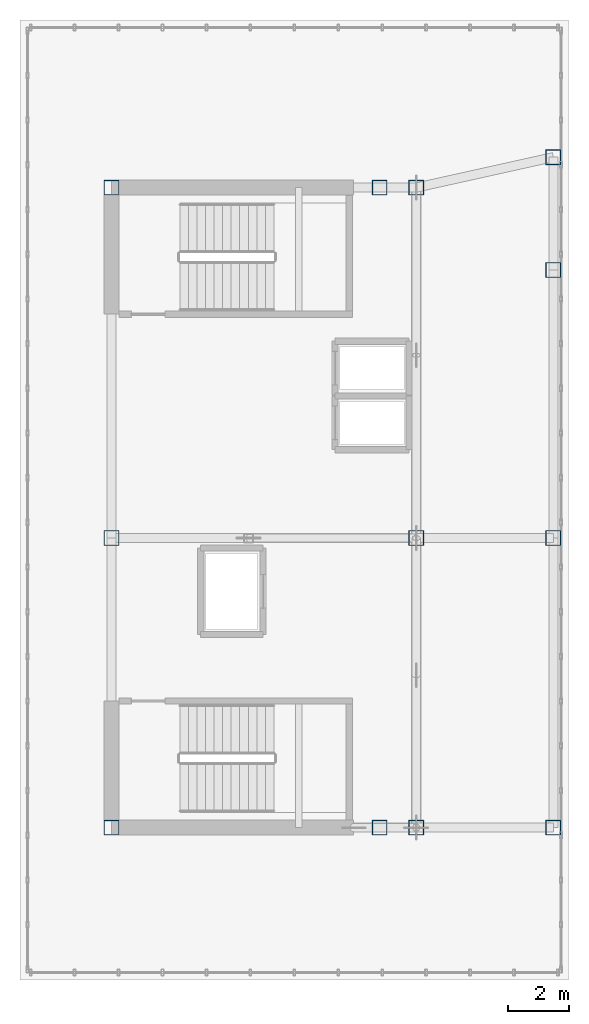
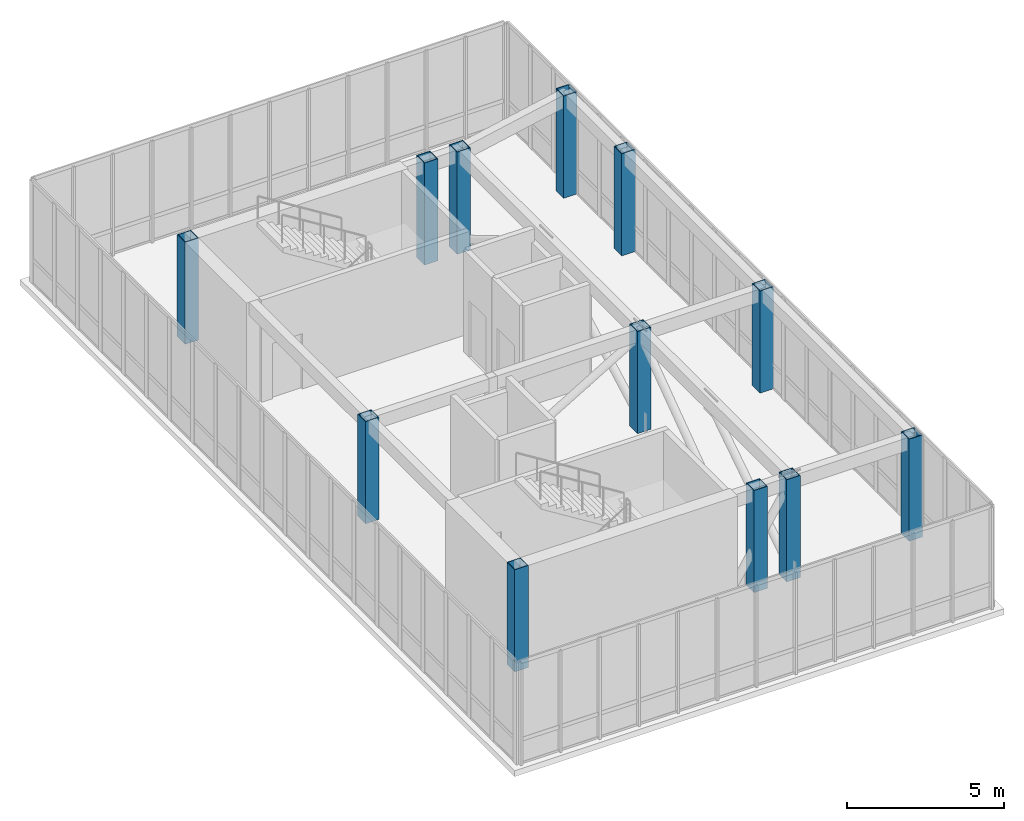
# One storey, part 1 of 13: 12 columns.
"""IFC4 building model written with IfcOpenShell, lengths in metres."""

from ifc_helpers import new_model, si_unit, direction, frame, origin, origin_2d, place, context, subcontext, project, spatial, hollow_rectangle, extrude, source, transform, mapped, material, material_profile, profile_set, type_object, element, save


model = new_model("IFC4")

# Units and contexts
model_context = context("Model", 3, precision=1e-05, world=origin(), true_north=direction((0.0, 1.0)))
body_context = subcontext(model_context, "Body", "Model", "MODEL_VIEW")
ifc_project = project(units=[si_unit("LENGTHUNIT", "METRE"), si_unit("AREAUNIT", "SQUARE_METRE"), si_unit("VOLUMEUNIT", "CUBIC_METRE"), si_unit("PLANEANGLEUNIT", "RADIAN"), si_unit("MASSUNIT", "GRAM", prefix="KILO")], contexts=[model_context])

# Site, building, storey
site_placement = place(None, origin())
site = spatial("IfcSite", under=ifc_project, at=site_placement, CompositionType="ELEMENT")
building_placement = place(site_placement, origin())
building = spatial("IfcBuilding", under=site, at=building_placement, Name="Kharzan Plaza Tower", CompositionType="ELEMENT")
storey_placement = place(building_placement, frame((0.0, 0.0, 285.60009765625)))
storey = spatial("IfcBuildingStorey", under=building, at=storey_placement, Name="L77-CROWN", CompositionType="ELEMENT", Elevation=285.60009765625)

# Columns
ifc_material = material(Name="Steel S355", Category="steel")
ifc_material_profile = material_profile(ifc_material, hollow_rectangle(XDim=0.5, YDim=0.5, WallThickness=0.02490234375, at=origin_2d()), Name="SHS500x500x25")
ifc_profile_set = profile_set([ifc_material_profile], Name="Steel S355")
column_type = type_object("IfcColumnType", Name="COL-LC500", PredefinedType="COLUMN", material=ifc_profile_set)
shared_shape = source(origin(), body_context, "Body", "SweptSolid", [
    extrude(hollow_rectangle(XDim=0.5, YDim=0.5, WallThickness=0.02490234375, at=origin_2d()), origin(), (0.0, 0.0, 1.0), 3.969970703125),
])
for number, where, z_axis, x_axis, name in (
    (1, (4.5, 8.5, 0.0), (0.0, 0.0, 1.0), (1.0, 0.0, 0.0), "L77-CROWN CROWN FRAME Lantern Column LC01"),
    (2, (13.300048828125, 8.5, 0.0), (0.0, 0.0, 1.0), (1.0, 0.0, 0.0), "L77-CROWN CROWN FRAME Lantern Column LC02"),
    (3, (14.5, 8.5, 0.0), (0.0, 0.0, 1.0), (1.0, 0.0, 0.0), "L77-CROWN CROWN FRAME Lantern Column LC03"),
    (4, (4.5, 18.0, 0.0), (0.0, 0.0, 1.0), (1.0, 0.0, 0.0), "L77-CROWN CROWN FRAME Lantern Column LC04"),
    (5, (14.5, 18.0, 0.0), (0.0, 0.0, 1.0), (1.0, 0.0, 0.0), "L77-CROWN CROWN FRAME Lantern Column LC05"),
    (6, (4.5, 29.5, 0.0), (0.0, 0.0, 1.0), (1.0, 0.0, 0.0), "L77-CROWN CROWN FRAME Lantern Column LC06"),
    (7, (13.300048828125, 29.5, 0.0), (0.0, 0.0, 1.0), (1.0, 0.0, 0.0), "L77-CROWN CROWN FRAME Lantern Column LC07"),
    (8, (14.5, 29.5, 0.0), (0.0, 0.0, 1.0), (1.0, 0.0, 0.0), "L77-CROWN CROWN FRAME Lantern Column LC08"),
    (9, (19.0, 8.5, 0.0), (0.0, 0.0, 1.0), (1.0, 0.0, 0.0), "L77-CROWN CROWN FRAME Lantern Column LC09"),
    (10, (19.0, 18.0, 0.0), (0.0, 0.0, 1.0), (1.0, 0.0, 0.0), "L77-CROWN CROWN FRAME Lantern Column LC10"),
    (11, (19.0, 26.800048828125, 0.0), (0.0, 0.0, 1.0), (1.0, 0.0, 0.0), "L77-CROWN CROWN FRAME Lantern Column LC11"),
    (12, (19.0, 30.5, 0.0), (0.0, 0.0, 1.0), (1.0, 0.0, 0.0), "L77-CROWN CROWN FRAME Lantern Column LC12"),
):
    element("IfcColumn", number, at=place(storey_placement, frame(where, z_axis=z_axis, x_axis=x_axis)), inside=storey, type_object=column_type, Name=name, PredefinedType="COLUMN", context=body_context, shape_type="MappedRepresentation", body=[
        mapped(shared_shape, transform((0.0, 0.0, 0.0), x_axis=(1.0, 0.0, 0.0), y_axis=(0.0, 1.0, 0.0), z_axis=(0.0, 0.0, 1.0))),
    ])

save(model, "model.ifc")
